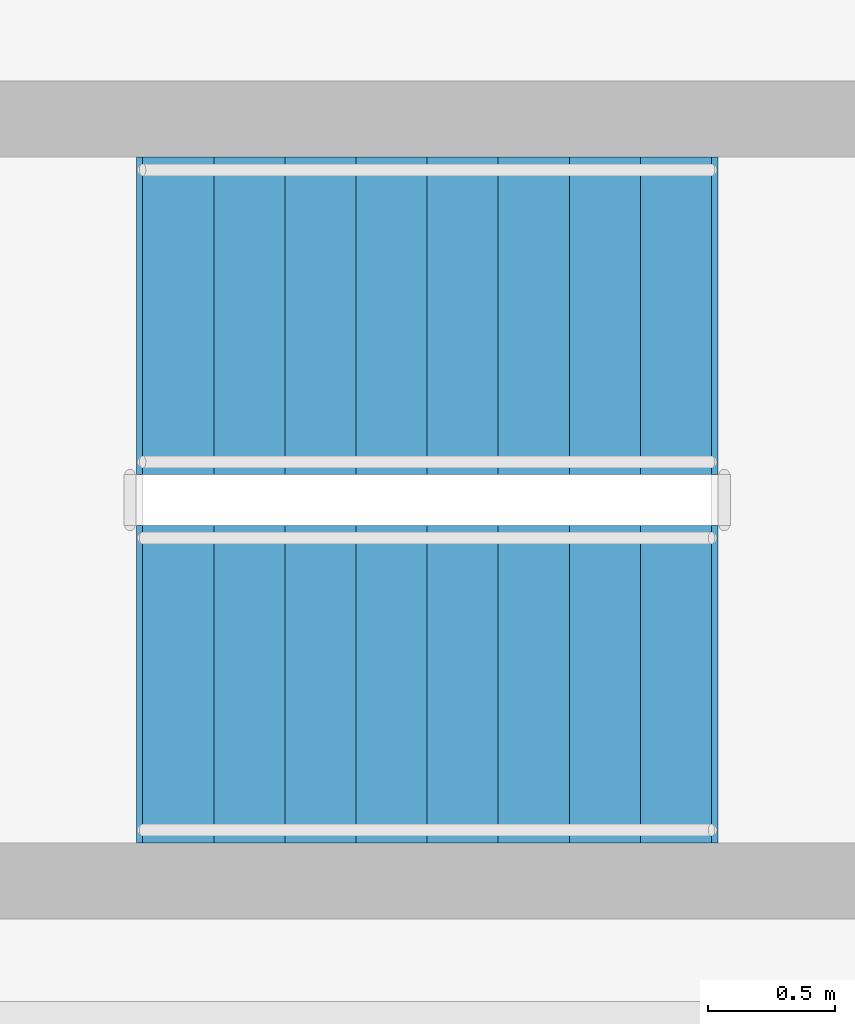
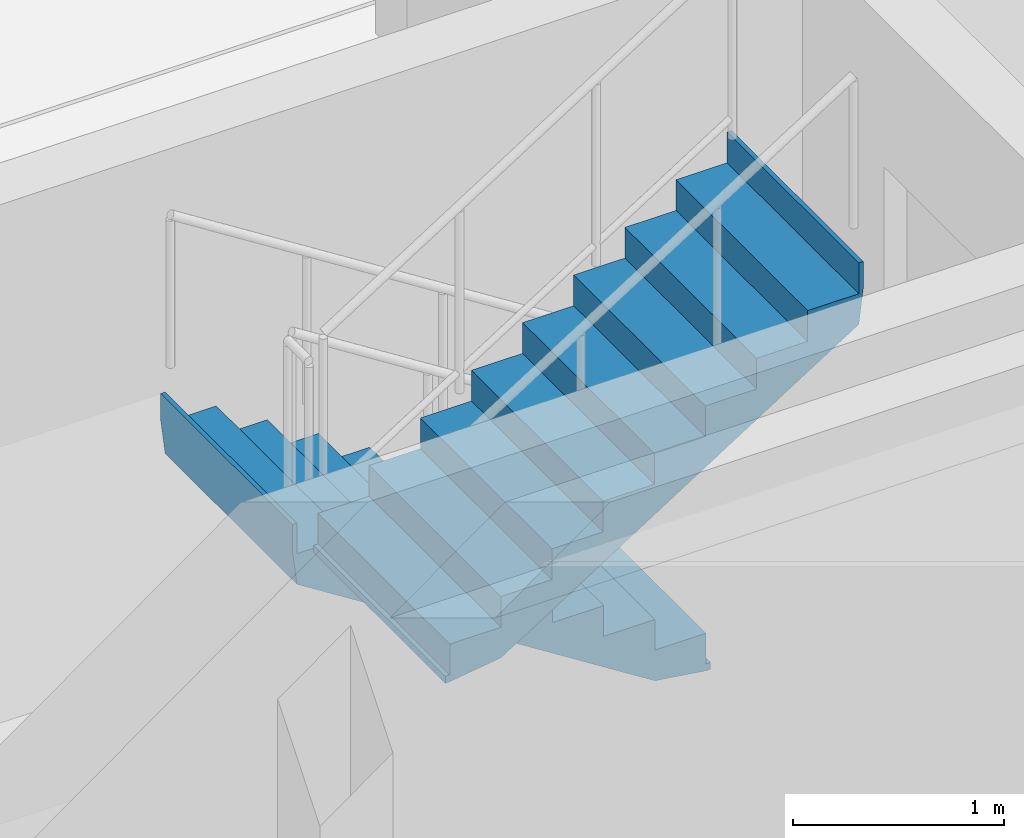
# One storey, part 6 of 7: 2 stair flights, 1 element without a shape of its own.
"""IFC4 building model written with IfcOpenShell, lengths in metres."""

from ifc_helpers import new_model, si_unit, direction, frame, origin, place, context, subcontext, project, spatial, polyline, outline, extrude, material, type_object, element, aggregate, save


model = new_model("IFC4")

# Units and contexts
model_context = context("Model", 3, precision=1e-05, world=origin(), true_north=direction((0.0, 1.0)))
body_context = subcontext(model_context, "Body", "Model", "MODEL_VIEW")
ifc_project = project(units=[si_unit("LENGTHUNIT", "METRE"), si_unit("AREAUNIT", "SQUARE_METRE"), si_unit("VOLUMEUNIT", "CUBIC_METRE"), si_unit("PLANEANGLEUNIT", "RADIAN"), si_unit("MASSUNIT", "GRAM", prefix="KILO"), si_unit("POWERUNIT", "WATT"), si_unit("THERMODYNAMICTEMPERATUREUNIT", "KELVIN")], contexts=[model_context])

# Site, building, storey
site_placement = place(None, origin())
site = spatial("IfcSite", under=ifc_project, at=site_placement, CompositionType="ELEMENT")
building_placement = place(site_placement, origin())
building = spatial("IfcBuilding", under=site, at=building_placement, Name="Ruvembo Vaulted Housing Court", CompositionType="ELEMENT")
storey_placement = place(building_placement, frame((0.0, 0.0, 39.699951171875)))
storey = spatial("IfcBuildingStorey", under=building, at=storey_placement, Name="L12", CompositionType="ELEMENT", Elevation=39.699951171875)

# Stair, stair flights
ifc_material = material(Name="Concrete C35/45", Category="concrete")
stair_type = type_object("IfcStairType", Name="STR-CORE-1250", PredefinedType="HALF_TURN_STAIR", material=ifc_material)
stair_placement = place(storey_placement, origin())
stair = element("IfcStair", 1, at=stair_placement, inside=storey, type_object=stair_type, Name="L12 Protected Exit Stair ST-A2", PredefinedType="HALF_TURN_STAIR")
stair_flight_type = type_object("IfcStairFlightType", Name="SFL-1250", PredefinedType="STRAIGHT", material=ifc_material)
stair_flight_1_placement = place(storey_placement, frame((21.300048828125, 20.824951171875, 0.0), z_axis=(0.0, 0.0, 1.0), x_axis=(-1.0, 0.0, 0.0)))
stair_flight_1 = element("IfcStairFlight", 2, at=stair_flight_1_placement, type_object=stair_flight_type, Name="ST-A2 flight 1", NumberOfRisers=9, NumberOfTreads=8, PredefinedType="STRAIGHT", RiserHeight=0.177777778, TreadLength=0.28, context=body_context, shape_type="SweptSolid", body=[
    extrude(outline(polyline([(-0.02490234375, -0.0400390625), (-0.02490234375, 0.0), (0.0, 0.0), (0.0, 0.177734375), (0.280029296875, 0.177734375), (0.280029296875, 0.35546875), (0.56005859375, 0.35546875), (0.56005859375, 0.533447265625), (0.840087890625, 0.533447265625), (0.840087890625, 0.711181640625), (1.1201171875, 0.711181640625), (1.1201171875, 0.888916015625), (1.39990234375, 0.888916015625), (1.39990234375, 1.066650390625), (1.679931640625, 1.066650390625), (1.679931640625, 1.244384765625), (1.9599609375, 1.244384765625), (1.9599609375, 1.422119140625), (2.239990234375, 1.422119140625), (2.239990234375, 1.60009765625), (2.264892578125, 1.60009765625), (2.264892578125, 1.4501953125), (2.239990234375, 1.24462890625), (0.27978515625, 0.0), (0.0, -0.0400390625), (-0.02490234375, -0.0400390625)])), frame((0.0, 0.625, 0.0), z_axis=(0.0, -1.0, 0.0), x_axis=(1.0, 0.0, 0.0)), (0.0, 0.0, 1.0), 1.25),
])
stair_flight_2_placement = place(storey_placement, frame((19.06005859375, 19.375, 1.60009765625), z_axis=(0.0, 0.0, 1.0), x_axis=(1.0, 0.0, 0.0)))
stair_flight_2 = element("IfcStairFlight", 3, at=stair_flight_2_placement, type_object=stair_flight_type, Name="ST-A2 flight 2", NumberOfRisers=9, NumberOfTreads=8, PredefinedType="STRAIGHT", RiserHeight=0.177777778, TreadLength=0.28, context=body_context, shape_type="SweptSolid", body=[
    extrude(outline(polyline([(-0.02490234375, -0.0400390625), (-0.02490234375, 0.0), (0.0, 0.0), (0.0, 0.177734375), (0.280029296875, 0.177734375), (0.280029296875, 0.35546875), (0.56005859375, 0.35546875), (0.56005859375, 0.533447265625), (0.840087890625, 0.533447265625), (0.840087890625, 0.711181640625), (1.1201171875, 0.711181640625), (1.1201171875, 0.888916015625), (1.39990234375, 0.888916015625), (1.39990234375, 1.066650390625), (1.679931640625, 1.066650390625), (1.679931640625, 1.244384765625), (1.9599609375, 1.244384765625), (1.9599609375, 1.422119140625), (2.239990234375, 1.422119140625), (2.239990234375, 1.60009765625), (2.264892578125, 1.60009765625), (2.264892578125, 1.4501953125), (2.239990234375, 1.24462890625), (0.27978515625, 0.0), (0.0, -0.0400390625), (-0.02490234375, -0.0400390625)])), frame((0.0, 0.625, 0.0), z_axis=(0.0, -1.0, 0.0), x_axis=(1.0, 0.0, 0.0)), (0.0, 0.0, 1.0), 1.25),
])
aggregate(stair, [stair_flight_1, stair_flight_2])

save(model, "model.ifc")
